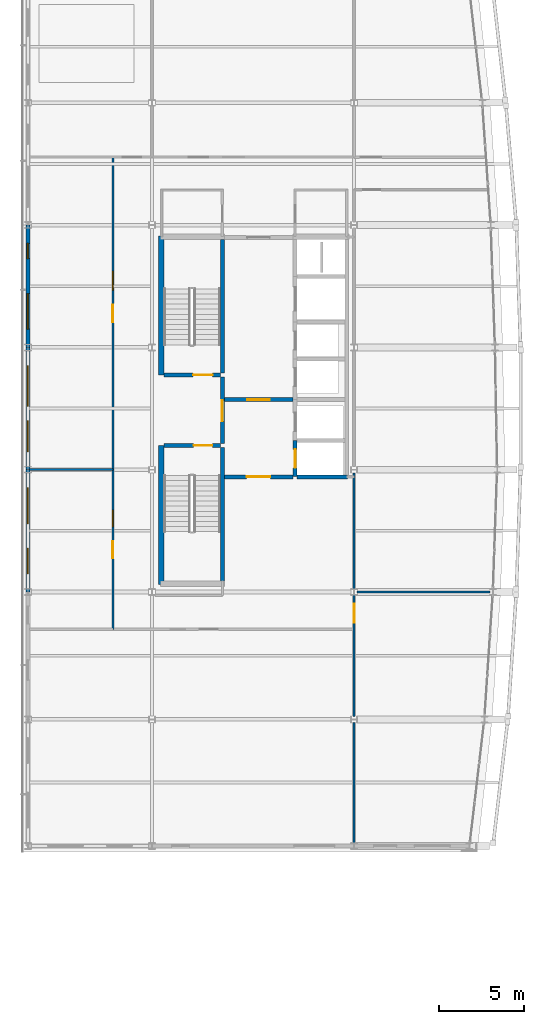
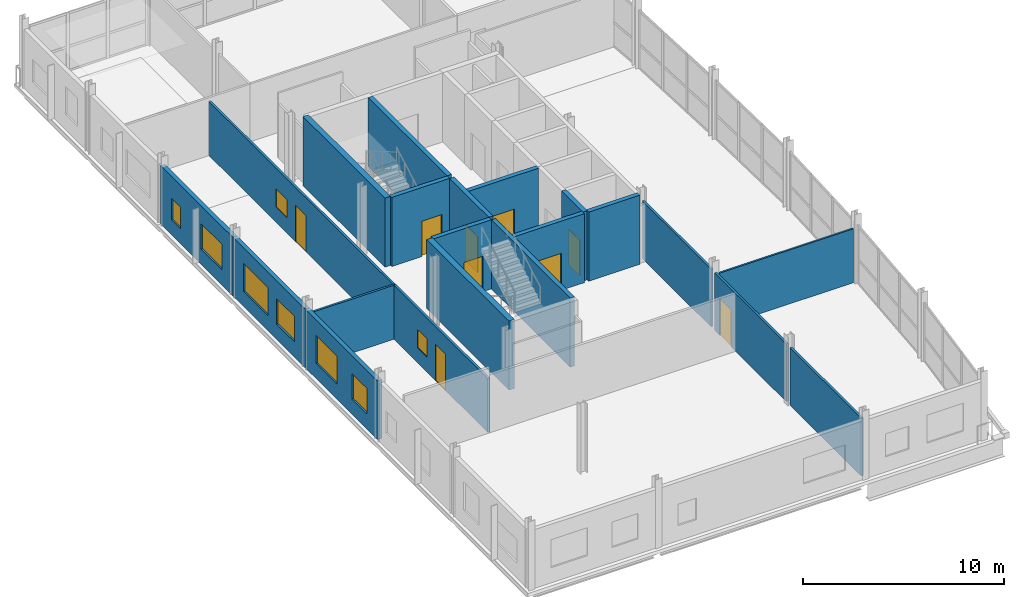
# One storey, part 16 of 23: 21 walls, 9 doors, 8 windows, 17 openings.
"""IFC4 building model written with IfcOpenShell, lengths in metres."""

from ifc_helpers import new_model, si_unit, direction, frame, frame_2d, origin, place, context, subcontext, project, spatial, rectangle, extrude, material, layer, layer_set, type_object, element, fill, save


model = new_model("IFC4")

# Units and contexts
model_context = context("Model", 3, precision=1e-05, world=origin(), true_north=direction((0.0, 1.0)))
body_context = subcontext(model_context, "Body", "Model", "MODEL_VIEW")
ifc_project = project(units=[si_unit("LENGTHUNIT", "METRE"), si_unit("AREAUNIT", "SQUARE_METRE"), si_unit("VOLUMEUNIT", "CUBIC_METRE"), si_unit("PLANEANGLEUNIT", "RADIAN"), si_unit("MASSUNIT", "GRAM", prefix="KILO")], contexts=[model_context])

# Site, building, storey
site_placement = place(None, origin())
site = spatial("IfcSite", under=ifc_project, at=site_placement, CompositionType="ELEMENT")
building_placement = place(site_placement, origin())
building = spatial("IfcBuilding", under=site, at=building_placement, Name="Quillay Park Conservatory", CompositionType="ELEMENT")
storey_placement = place(building_placement, frame((0.0, 0.0, 22.5)))
storey = spatial("IfcBuildingStorey", under=building, at=storey_placement, Name="L05", CompositionType="ELEMENT", Elevation=22.5)

# Walls
ifc_material_1 = material(Name="Steel-Stud Acoustic Gypsum Board Partition", Category="steel")
ifc_layer_1 = layer(ifc_material_1, 0.10009765625)
ifc_layer_set_1 = layer_set([ifc_layer_1], Name="ACOUSTIC GYPSUM PARTITION 100 (Steel-Stud Acoustic Gypsum Board Partition)")
wall_type_1 = type_object("IfcWallType", Name="ACOUSTIC GYPSUM PARTITION 100", PredefinedType="PARTITIONING", material=ifc_layer_set_1)
wall_1_placement = place(storey_placement, frame((27.742919921875, 78.0, 0.0), z_axis=(0.0, 0.0, 1.0), x_axis=(-1.0, 0.0, 0.0)))
element("IfcWall", 1, at=wall_1_placement, inside=storey, type_object=wall_type_1, Name="L05 East Strip South Wall", PredefinedType="PARTITIONING", context=body_context, shape_type="SweptSolid", body=[
    extrude(rectangle(XDim=7.81103515625, YDim=0.10009765625, at=frame_2d((3.905517578125, 0.0))), origin(), (0.0, 0.0, 1.0), 3.277099609375),
])
ifc_material_2 = material(Name="Steel-Stud Acoustic Gypsum Board Partition", Category="steel")
ifc_layer_2 = layer(ifc_material_2, 0.1201171875)
ifc_layer_set_2 = layer_set([ifc_layer_2], Name="ACOUSTIC GYPSUM PARTITION 120 (Steel-Stud Acoustic Gypsum Board Partition)")
wall_type_2 = type_object("IfcWallType", Name="ACOUSTIC GYPSUM PARTITION 120", PredefinedType="PARTITIONING", material=ifc_layer_set_2)
wall_2_placement = place(storey_placement, frame((0.64990234375, 85.199951171875, 0.0), z_axis=(0.0, 0.0, 1.0), x_axis=(1.0, 0.0, 0.0)))
element("IfcWall", 2, at=wall_2_placement, inside=storey, type_object=wall_type_2, Name="L05 West Divider 85", PredefinedType="PARTITIONING", context=body_context, shape_type="SweptSolid", body=[
    extrude(rectangle(XDim=4.900146484375, YDim=0.1201171875, at=frame_2d((2.4501953125, 0.0))), origin(), (0.0, 0.0, 1.0), 3.277099609375),
])

# Wall, openings, window, door
ifc_material_3 = material(Name="Steel-Stud Acoustic Gypsum Board Partition", Category="steel")
ifc_layer_3 = layer(ifc_material_3, 0.125)
ifc_layer_set_3 = layer_set([ifc_layer_3], Name="ACOUSTIC GYPSUM PARTITION 125 (Steel-Stud Acoustic Gypsum Board Partition)")
wall_type_3 = type_object("IfcWallType", Name="ACOUSTIC GYPSUM PARTITION 125", PredefinedType="PARTITIONING", material=ifc_layer_set_3)
wall_3_placement = place(storey_placement, frame((5.550048828125, 85.199951171875, 0.0), z_axis=(0.0, 0.0, 1.0), x_axis=(0.0, 1.0, 0.0)))
wall_3 = element("IfcWall", 3, at=wall_3_placement, inside=storey, type_object=wall_type_3, Name="L05 Phylogenomic Alignment Studio Corridor Wall", PredefinedType="PARTITIONING", context=body_context, shape_type="SweptSolid", body=[
    extrude(rectangle(XDim=18.400146484375, YDim=0.125, at=frame_2d((9.2001953125, 0.0))), origin(), (0.0, 0.0, 1.0), 3.277099609375),
])
opening_1_placement = place(wall_3_placement, frame((8.675048828125, 0.0, 0.0)))
opening_1 = element("IfcOpeningElement", 4, at=opening_1_placement, cuts=wall_3, Name="Opening D-RM15", PredefinedType="OPENING", context=body_context, shape_type="SweptSolid", body=[
    extrude(rectangle(XDim=1.050048828125, YDim=2.199951171875, at=frame_2d((0.52490234375, 1.10009765625))), frame((0.0, 0.0625, 0.0), z_axis=(0.0, -1.0, 0.0), x_axis=(1.0, 0.0, 0.0)), (0.0, 0.0, 1.0), 0.125),
])
opening_2_placement = place(wall_3_placement, frame((10.574951171875, 0.0, 0.919921875)))
opening_2 = element("IfcOpeningElement", 5, at=opening_2_placement, cuts=wall_3, Name="Opening W-IN03", PredefinedType="OPENING", context=body_context, shape_type="SweptSolid", body=[
    extrude(rectangle(XDim=1.10009765625, YDim=1.10009765625, at=frame_2d((0.550048828125, 0.550048828125))), frame((0.0, 0.0625, 0.0), z_axis=(0.0, -1.0, 0.0), x_axis=(1.0, 0.0, 0.0)), (0.0, 0.0, 1.0), 0.125),
])
ifc_material_4 = material(Name="Low-E Double Glazing (Laminated Tempered)", Category="glass")
window_type_1 = type_object("IfcWindowType", Name="OPERABLE VENT WINDOW 1100 X1100", PartitioningType="SINGLE_PANEL", PredefinedType="WINDOW", material=ifc_material_4)
window_1_placement = place(opening_2_placement, origin())
window_1 = element("IfcWindow", 6, at=window_1_placement, inside=storey, type_object=window_type_1, Name="L05 Laboratory Vision Panel 027", OverallHeight=1.10009765625, OverallWidth=1.10009765625, PartitioningType="SINGLE_PANEL", PredefinedType="WINDOW", context=body_context, shape_type="SweptSolid", body=[
    extrude(rectangle(XDim=1.10009765625, YDim=1.10009765625, at=frame_2d((0.550048828125, 0.550048828125))), frame((0.0, 0.030029296875, 0.0), z_axis=(0.0, -1.0, 0.0), x_axis=(1.0, 0.0, 0.0)), (0.0, 0.0, 1.0), 0.06005859375),
])
fill(opening_2, window_1)
ifc_material_5 = material(Name="Thermally Broken Anodised Aluminium 6063-T6", Category="aluminium")
door_type_1 = type_object("IfcDoorType", Name="SINGLE SWING DOOR 1050 X2200", OperationType="NOTDEFINED", PredefinedType="DOOR", material=ifc_material_5)
door_1_placement = place(opening_1_placement, origin())
door_1 = element("IfcDoor", 7, at=door_1_placement, inside=storey, type_object=door_type_1, Name="L05 Door to Phylogenomic Alignment Studio", OperationType="SINGLE_SWING_LEFT", OverallHeight=2.199951171875, OverallWidth=1.050048828125, PredefinedType="DOOR", context=body_context, shape_type="SweptSolid", body=[
    extrude(rectangle(XDim=1.050048828125, YDim=2.199951171875, at=frame_2d((0.52490234375, 1.10009765625))), frame((0.0, 0.02490234375, 0.0), z_axis=(0.0, -1.0, 0.0), x_axis=(1.0, 0.0, 0.0)), (0.0, 0.0, 1.0), 0.050048828125),
])
fill(opening_1, door_1)

# Wall
wall_4_placement = place(storey_placement, frame((19.75, 78.180908203125, 0.0), z_axis=(0.0, 0.0, 1.0), x_axis=(0.0, 1.0, 0.0)))
element("IfcWall", 8, at=wall_4_placement, inside=storey, type_object=wall_type_3, Name="L05 Centrifuge and Autoclave Instrument Bay West Wall 1", PredefinedType="PARTITIONING", context=body_context, shape_type="SweptSolid", body=[
    extrude(rectangle(XDim=6.837158203125, YDim=0.125, at=frame_2d((3.41845703125, 0.0))), origin(), (0.0, 0.0, 1.0), 3.507080078125),
])

# Wall, opening, door
wall_5_placement = place(storey_placement, frame((19.75, 70.681884765625, 0.0), z_axis=(0.0, 0.0, 1.0), x_axis=(0.0, 1.0, 0.0)))
wall_5 = element("IfcWall", 9, at=wall_5_placement, inside=storey, type_object=wall_type_3, Name="L05 RNA Ultracold Freezer Laboratory West Door Wall", PredefinedType="PARTITIONING", context=body_context, shape_type="SweptSolid", body=[
    extrude(rectangle(XDim=7.13720703125, YDim=0.125, at=frame_2d((3.568603515625, 0.0))), origin(), (0.0, 0.0, 1.0), 3.507080078125),
])
opening_3_placement = place(wall_5_placement, frame((5.508056640625, 0.0, 0.0)))
opening_3 = element("IfcOpeningElement", 10, at=opening_3_placement, cuts=wall_5, Name="Opening D-RM21", PredefinedType="OPENING", context=body_context, shape_type="SweptSolid", body=[
    extrude(rectangle(XDim=1.1201171875, YDim=2.25, at=frame_2d((0.56005859375, 1.125))), frame((0.0, 0.0625, 0.0), z_axis=(0.0, -1.0, 0.0), x_axis=(1.0, 0.0, 0.0)), (0.0, 0.0, 1.0), 0.125),
])
ifc_material_6 = material(Name="Thermally Broken Anodised Aluminium 6063-T6", Category="aluminium")
door_type_2 = type_object("IfcDoorType", Name="SINGLE SWING DOOR 1120 X2250", OperationType="NOTDEFINED", PredefinedType="DOOR", material=ifc_material_6)
door_2_placement = place(opening_3_placement, origin())
door_2 = element("IfcDoor", 11, at=door_2_placement, inside=storey, type_object=door_type_2, Name="L05 Door to RNA Ultracold Freezer Laboratory", OperationType="SINGLE_SWING_LEFT", OverallHeight=2.25, OverallWidth=1.1201171875, PredefinedType="DOOR", context=body_context, shape_type="SweptSolid", body=[
    extrude(rectangle(XDim=1.1201171875, YDim=2.25, at=frame_2d((0.56005859375, 1.125))), frame((0.0, 0.02490234375, 0.0), z_axis=(0.0, -1.0, 0.0), x_axis=(1.0, 0.0, 0.0)), (0.0, 0.0, 1.0), 0.050048828125),
])
fill(opening_3, door_2)

# Wall, openings, window, door
ifc_material_7 = material(Name="Steel-Stud Acoustic Gypsum Board Partition", Category="steel")
ifc_layer_4 = layer(ifc_material_7, 0.1298828125)
ifc_layer_set_4 = layer_set([ifc_layer_4], Name="ACOUSTIC GYPSUM PARTITION 130 (Steel-Stud Acoustic Gypsum Board Partition)")
wall_type_4 = type_object("IfcWallType", Name="ACOUSTIC GYPSUM PARTITION 130", PredefinedType="PARTITIONING", material=ifc_layer_set_4)
wall_6_placement = place(storey_placement, frame((5.550048828125, 75.800048828125, 0.0), z_axis=(0.0, 0.0, 1.0), x_axis=(0.0, 1.0, 0.0)))
wall_6 = element("IfcWall", 12, at=wall_6_placement, inside=storey, type_object=wall_type_4, Name="L05 Bioinformatics Write-Up Studio Corridor Wall", PredefinedType="PARTITIONING", context=body_context, shape_type="SweptSolid", body=[
    extrude(rectangle(XDim=9.39990234375, YDim=0.1298828125, at=frame_2d((4.699951171875, 0.0))), origin(), (0.0, 0.0, 1.0), 3.277099609375),
])
opening_4_placement = place(wall_6_placement, frame((4.199951171875, 0.0, 0.0)))
opening_4 = element("IfcOpeningElement", 13, at=opening_4_placement, cuts=wall_6, Name="Opening D-RM14", PredefinedType="OPENING", context=body_context, shape_type="SweptSolid", body=[
    extrude(rectangle(XDim=1.0, YDim=2.199951171875, at=frame_2d((0.5, 1.10009765625))), frame((0.0, 0.06494140625, 0.0), z_axis=(0.0, -1.0, 0.0), x_axis=(1.0, 0.0, 0.0)), (0.0, 0.0, 1.0), 0.1298828125),
])
opening_5_placement = place(wall_6_placement, frame((6.050048828125, 0.0, 0.919921875)))
opening_5 = element("IfcOpeningElement", 14, at=opening_5_placement, cuts=wall_6, Name="Opening W-IN02", PredefinedType="OPENING", context=body_context, shape_type="SweptSolid", body=[
    extrude(rectangle(XDim=0.949951171875, YDim=1.10009765625, at=frame_2d((0.47509765625, 0.550048828125))), frame((0.0, 0.06494140625, 0.0), z_axis=(0.0, -1.0, 0.0), x_axis=(1.0, 0.0, 0.0)), (0.0, 0.0, 1.0), 0.1298828125),
])
ifc_material_8 = material(Name="Low-E Double Glazing (Laminated Tempered)", Category="glass")
window_type_2 = type_object("IfcWindowType", Name="OPERABLE VENT WINDOW 950 X1100", PartitioningType="SINGLE_PANEL", PredefinedType="WINDOW", material=ifc_material_8)
window_2_placement = place(opening_5_placement, origin())
window_2 = element("IfcWindow", 15, at=window_2_placement, inside=storey, type_object=window_type_2, Name="L05 Laboratory Vision Panel 026", OverallHeight=1.10009765625, OverallWidth=0.949951171875, PartitioningType="SINGLE_PANEL", PredefinedType="WINDOW", context=body_context, shape_type="SweptSolid", body=[
    extrude(rectangle(XDim=0.949951171875, YDim=1.10009765625, at=frame_2d((0.47509765625, 0.550048828125))), frame((0.0, 0.030029296875, 0.0), z_axis=(0.0, -1.0, 0.0), x_axis=(1.0, 0.0, 0.0)), (0.0, 0.0, 1.0), 0.06005859375),
])
fill(opening_5, window_2)
ifc_material_9 = material(Name="Thermally Broken Anodised Aluminium 6063-T6", Category="aluminium")
door_type_3 = type_object("IfcDoorType", Name="SINGLE SWING DOOR 1000 X2200", OperationType="NOTDEFINED", PredefinedType="DOOR", material=ifc_material_9)
door_3_placement = place(opening_4_placement, origin())
door_3 = element("IfcDoor", 16, at=door_3_placement, inside=storey, type_object=door_type_3, Name="L05 Door to Bioinformatics Write-Up Studio", OperationType="SINGLE_SWING_RIGHT", OverallHeight=2.199951171875, OverallWidth=1.0, PredefinedType="DOOR", context=body_context, shape_type="SweptSolid", body=[
    extrude(rectangle(XDim=1.0, YDim=2.199951171875, at=frame_2d((0.5, 1.10009765625))), frame((0.0, 0.02490234375, 0.0), z_axis=(0.0, -1.0, 0.0), x_axis=(1.0, 0.0, 0.0)), (0.0, 0.0, 1.0), 0.050048828125),
])
fill(opening_4, door_3)

# Walls
wall_7_placement = place(storey_placement, frame((19.75, 63.23095703125, 0.0), z_axis=(0.0, 0.0, 1.0), x_axis=(0.0, 1.0, 0.0)))
element("IfcWall", 17, at=wall_7_placement, inside=storey, type_object=wall_type_4, Name="L05 RNA Ultracold Freezer Laboratory West Wall S", PredefinedType="PARTITIONING", context=body_context, shape_type="SweptSolid", body=[
    extrude(rectangle(XDim=7.087158203125, YDim=0.1298828125, at=frame_2d((3.54345703125, 0.0))), origin(), (0.0, 0.0, 1.0), 3.507080078125),
])
ifc_material_10 = material(Name="Concrete C40/50 (NCh170 Concrete C40/50)", Category="concrete")
ifc_layer_5 = layer(ifc_material_10, 0.25)
ifc_layer_set_5 = layer_set([ifc_layer_5], Name="CORE SHEAR WALL 250 (Concrete C40/50 (NCh170 Concrete C40/50))")
wall_type_5 = type_object("IfcWallType", Name="CORE SHEAR WALL 250", PredefinedType="SHEAR", material=ifc_layer_set_5)
for number, where, z_axis, x_axis, name in (
    (18, (11.9951171875, 78.64990234375, 0.0), (0.0, 0.0, 1.0), (0.0, 1.0, 0.0), "L05 Core Shear Wall WL-T2E-L05"),
    (19, (11.9951171875, 90.89990234375, 0.0), (0.0, 0.0, 1.0), (0.0, 1.0, 0.0), "L05 Core Shear Wall WL-T1E-L05"),
):
    element("IfcWall", number, at=place(storey_placement, frame(where, z_axis=z_axis, x_axis=x_axis)), inside=storey, type_object=wall_type_5, Name=name, PredefinedType="SHEAR", context=body_context, shape_type="SweptSolid", body=[
        extrude(rectangle(XDim=7.85009765625, YDim=0.25, at=frame_2d((3.925048828125, 0.0))), origin(), (0.0, 0.0, 1.0), 4.199951171875),
    ])

# Wall, opening, door
wall_8_placement = place(storey_placement, frame((11.9951171875, 86.75, 0.0), z_axis=(0.0, 0.0, 1.0), x_axis=(0.0, 1.0, 0.0)))
wall_8 = element("IfcWall", 20, at=wall_8_placement, inside=storey, type_object=wall_type_5, Name="L05 Core Shear Wall WL-FFW-L05", PredefinedType="SHEAR", context=body_context, shape_type="SweptSolid", body=[
    extrude(rectangle(XDim=3.89990234375, YDim=0.25, at=frame_2d((1.949951171875, 0.0))), origin(), (0.0, 0.0, 1.0), 4.199951171875),
])
opening_6_placement = place(wall_8_placement, frame((1.300048828125, 0.0, 0.0)))
opening_6 = element("IfcOpeningElement", 21, at=opening_6_placement, cuts=wall_8, Name="Opening D-LB01", PredefinedType="OPENING", context=body_context, shape_type="SweptSolid", body=[
    extrude(rectangle(XDim=1.25, YDim=2.199951171875, at=frame_2d((0.625, 1.10009765625))), frame((0.0, 0.125, 0.0), z_axis=(0.0, -1.0, 0.0), x_axis=(1.0, 0.0, 0.0)), (0.0, 0.0, 1.0), 0.25),
])
ifc_material_11 = material(Name="Steel ASTM A572 Grade 50", Category="steel")
door_type_4 = type_object("IfcDoorType", Name="FIRE RATED LOBBY DOOR 1250 X2200", OperationType="NOTDEFINED", PredefinedType="DOOR", material=ifc_material_11)
door_4_placement = place(opening_6_placement, origin())
door_4 = element("IfcDoor", 22, at=door_4_placement, inside=storey, type_object=door_type_4, Name="L05 Firefighting Lobby Corridor Door", OperationType="SINGLE_SWING_LEFT", OverallHeight=2.199951171875, OverallWidth=1.25, PredefinedType="DOOR", context=body_context, shape_type="SweptSolid", body=[
    extrude(rectangle(XDim=1.25, YDim=2.199951171875, at=frame_2d((0.625, 1.10009765625))), frame((0.0, 0.02490234375, 0.0), z_axis=(0.0, -1.0, 0.0), x_axis=(1.0, 0.0, 0.0)), (0.0, 0.0, 1.0), 0.050048828125),
])
fill(opening_6, door_4)

wall_9_placement = place(storey_placement, frame((8.550048828125, 86.625, 0.0), z_axis=(0.0, 0.0, 1.0), x_axis=(1.0, 0.0, 0.0)))
wall_9 = element("IfcWall", 23, at=wall_9_placement, inside=storey, type_object=wall_type_5, Name="L05 Core Shear Wall WL-ST2D-L05", PredefinedType="SHEAR", context=body_context, shape_type="SweptSolid", body=[
    extrude(rectangle(XDim=3.320068359375, YDim=0.25, at=frame_2d((1.66015625, 0.0))), origin(), (0.0, 0.0, 1.0), 4.199951171875),
])
opening_7_placement = place(wall_9_placement, frame((1.75, 0.0, 0.0)))
opening_7 = element("IfcOpeningElement", 24, at=opening_7_placement, cuts=wall_9, Name="Opening D-ST01", PredefinedType="OPENING", context=body_context, shape_type="SweptSolid", body=[
    extrude(rectangle(XDim=1.10009765625, YDim=2.14990234375, at=frame_2d((0.550048828125, 1.074951171875))), frame((0.0, 0.125, 0.0), z_axis=(0.0, -1.0, 0.0), x_axis=(1.0, 0.0, 0.0)), (0.0, 0.0, 1.0), 0.25),
])
ifc_material_12 = material(Name="Steel ASTM A572 Grade 50", Category="steel")
door_type_5 = type_object("IfcDoorType", Name="FIRE RATED STAIR DOOR 1100 X2150", OperationType="NOTDEFINED", PredefinedType="DOOR", material=ifc_material_12)
door_5_placement = place(opening_7_placement, origin())
door_5 = element("IfcDoor", 25, at=door_5_placement, inside=storey, type_object=door_type_5, Name="L05 Protected Stair ST-T2 Door", OperationType="SINGLE_SWING_LEFT", OverallHeight=2.14990234375, OverallWidth=1.10009765625, PredefinedType="DOOR", context=body_context, shape_type="SweptSolid", body=[
    extrude(rectangle(XDim=1.10009765625, YDim=2.14990234375, at=frame_2d((0.550048828125, 1.074951171875))), frame((0.0, 0.02490234375, 0.0), z_axis=(0.0, -1.0, 0.0), x_axis=(1.0, 0.0, 0.0)), (0.0, 0.0, 1.0), 0.050048828125),
])
fill(opening_7, door_5)

wall_10_placement = place(storey_placement, frame((11.8701171875, 90.77490234375, 0.0), z_axis=(0.0, 0.0, 1.0), x_axis=(-1.0, 0.0, 0.0)))
wall_10 = element("IfcWall", 26, at=wall_10_placement, inside=storey, type_object=wall_type_5, Name="L05 Core Shear Wall WL-ST1D-L05", PredefinedType="SHEAR", context=body_context, shape_type="SweptSolid", body=[
    extrude(rectangle(XDim=3.320068359375, YDim=0.25, at=frame_2d((1.66015625, 0.0))), origin(), (0.0, 0.0, 1.0), 4.199951171875),
])
opening_8_placement = place(wall_10_placement, frame((0.449951171875, 0.0, 0.0)))
opening_8 = element("IfcOpeningElement", 27, at=opening_8_placement, cuts=wall_10, Name="Opening D-ST02", PredefinedType="OPENING", context=body_context, shape_type="SweptSolid", body=[
    extrude(rectangle(XDim=1.14990234375, YDim=2.14990234375, at=frame_2d((0.574951171875, 1.074951171875))), frame((0.0, 0.125, 0.0), z_axis=(0.0, -1.0, 0.0), x_axis=(1.0, 0.0, 0.0)), (0.0, 0.0, 1.0), 0.25),
])
ifc_material_13 = material(Name="Steel ASTM A572 Grade 50", Category="steel")
door_type_6 = type_object("IfcDoorType", Name="FIRE RATED STAIR DOOR 1150 X2150", OperationType="NOTDEFINED", PredefinedType="DOOR", material=ifc_material_13)
door_6_placement = place(opening_8_placement, origin())
door_6 = element("IfcDoor", 28, at=door_6_placement, inside=storey, type_object=door_type_6, Name="L05 Protected Stair ST-T1 Door", OperationType="SINGLE_SWING_RIGHT", OverallHeight=2.14990234375, OverallWidth=1.14990234375, PredefinedType="DOOR", context=body_context, shape_type="SweptSolid", body=[
    extrude(rectangle(XDim=1.14990234375, YDim=2.14990234375, at=frame_2d((0.574951171875, 1.074951171875))), frame((0.0, 0.02490234375, 0.0), z_axis=(0.0, -1.0, 0.0), x_axis=(1.0, 0.0, 0.0)), (0.0, 0.0, 1.0), 0.050048828125),
])
fill(opening_8, door_6)

wall_11_placement = place(storey_placement, frame((12.1201171875, 89.324951171875, 0.0), z_axis=(0.0, 0.0, 1.0), x_axis=(1.0, 0.0, 0.0)))
wall_11 = element("IfcWall", 29, at=wall_11_placement, inside=storey, type_object=wall_type_5, Name="L05 Core Shear Wall WL-FFDIV-L05", PredefinedType="SHEAR", context=body_context, shape_type="SweptSolid", body=[
    extrude(rectangle(XDim=4.02978515625, YDim=0.25, at=frame_2d((2.014892578125, 0.0))), origin(), (0.0, 0.0, 1.0), 4.199951171875),
])
opening_9_placement = place(wall_11_placement, frame((1.35009765625, 0.0, 0.0)))
opening_9 = element("IfcOpeningElement", 30, at=opening_9_placement, cuts=wall_11, Name="Opening D-LB02", PredefinedType="OPENING", context=body_context, shape_type="SweptSolid", body=[
    extrude(rectangle(XDim=1.300048828125, YDim=2.199951171875, at=frame_2d((0.64990234375, 1.10009765625))), frame((0.0, 0.125, 0.0), z_axis=(0.0, -1.0, 0.0), x_axis=(1.0, 0.0, 0.0)), (0.0, 0.0, 1.0), 0.25),
])
ifc_material_14 = material(Name="Steel ASTM A572 Grade 50", Category="steel")
door_type_7 = type_object("IfcDoorType", Name="FIRE RATED LOBBY DOOR 1300 X2200", OperationType="NOTDEFINED", PredefinedType="DOOR", material=ifc_material_14)
door_7_placement = place(opening_9_placement, origin())
door_7 = element("IfcDoor", 31, at=door_7_placement, inside=storey, type_object=door_type_7, Name="L05 Firefighting to Passenger Lobby Door", OperationType="SINGLE_SWING_LEFT", OverallHeight=2.199951171875, OverallWidth=1.300048828125, PredefinedType="DOOR", context=body_context, shape_type="SweptSolid", body=[
    extrude(rectangle(XDim=1.300048828125, YDim=2.199951171875, at=frame_2d((0.64990234375, 1.10009765625))), frame((0.0, 0.02490234375, 0.0), z_axis=(0.0, -1.0, 0.0), x_axis=(1.0, 0.0, 0.0)), (0.0, 0.0, 1.0), 0.050048828125),
])
fill(opening_9, door_7)

wall_12_placement = place(storey_placement, frame((12.1201171875, 84.77490234375, 0.0), z_axis=(0.0, 0.0, 1.0), x_axis=(1.0, 0.0, 0.0)))
wall_12 = element("IfcWall", 32, at=wall_12_placement, inside=storey, type_object=wall_type_5, Name="L05 Core Shear Wall WL-FFS-L05", PredefinedType="SHEAR", context=body_context, shape_type="SweptSolid", body=[
    extrude(rectangle(XDim=4.02978515625, YDim=0.25, at=frame_2d((2.014892578125, 0.0))), origin(), (0.0, 0.0, 1.0), 4.199951171875),
])
opening_10_placement = place(wall_12_placement, frame((1.300048828125, 0.0, 0.0)))
opening_10 = element("IfcOpeningElement", 33, at=opening_10_placement, cuts=wall_12, Name="Opening D-LB03", PredefinedType="OPENING", context=body_context, shape_type="SweptSolid", body=[
    extrude(rectangle(XDim=1.39990234375, YDim=2.25, at=frame_2d((0.699951171875, 1.125))), frame((0.0, 0.125, 0.0), z_axis=(0.0, -1.0, 0.0), x_axis=(1.0, 0.0, 0.0)), (0.0, 0.0, 1.0), 0.25),
])
ifc_material_15 = material(Name="Steel ASTM A572 Grade 50", Category="steel")
door_type_8 = type_object("IfcDoorType", Name="FIRE RATED LOBBY DOOR 1400 X2250", OperationType="NOTDEFINED", PredefinedType="DOOR", material=ifc_material_15)
door_8_placement = place(opening_10_placement, origin())
door_8 = element("IfcDoor", 34, at=door_8_placement, inside=storey, type_object=door_type_8, Name="L05 South Core Lobby Door", OperationType="SINGLE_SWING_RIGHT", OverallHeight=2.25, OverallWidth=1.39990234375, PredefinedType="DOOR", context=body_context, shape_type="SweptSolid", body=[
    extrude(rectangle(XDim=1.39990234375, YDim=2.25, at=frame_2d((0.699951171875, 1.125))), frame((0.0, 0.02490234375, 0.0), z_axis=(0.0, -1.0, 0.0), x_axis=(1.0, 0.0, 0.0)), (0.0, 0.0, 1.0), 0.050048828125),
])
fill(opening_10, door_8)

# Wall
wall_13_placement = place(storey_placement, frame((16.39990234375, 84.77490234375, 0.0), z_axis=(0.0, 0.0, 1.0), x_axis=(1.0, 0.0, 0.0)))
element("IfcWall", 35, at=wall_13_placement, inside=storey, type_object=wall_type_5, Name="L05 Core Shear Wall WL-LFSO-L05", PredefinedType="SHEAR", context=body_context, shape_type="SweptSolid", body=[
    extrude(rectangle(XDim=2.9501953125, YDim=0.25, at=frame_2d((1.47509765625, 0.0))), origin(), (0.0, 0.0, 1.0), 4.199951171875),
])

# Wall, opening, door
wall_14_placement = place(storey_placement, frame((16.27490234375, 84.800048828125, 0.0), z_axis=(0.0, 0.0, 1.0), x_axis=(0.0, 1.0, 0.0)))
wall_14 = element("IfcWall", 36, at=wall_14_placement, inside=storey, type_object=wall_type_5, Name="L05 Core Shear Wall WL-LFFR-L05-LF-FF1", PredefinedType="SHEAR", context=body_context, shape_type="SweptSolid", body=[
    extrude(rectangle(XDim=2.125, YDim=0.25, at=frame_2d((1.0625, 0.0))), origin(), (0.0, 0.0, 1.0), 4.199951171875),
])
opening_11_placement = place(wall_14_placement, frame((0.5, 0.0, 0.0)))
opening_11 = element("IfcOpeningElement", 37, at=opening_11_placement, cuts=wall_14, Name="Opening LD01", PredefinedType="OPENING", context=body_context, shape_type="SweptSolid", body=[
    extrude(rectangle(XDim=1.10009765625, YDim=2.14990234375, at=frame_2d((0.550048828125, 1.074951171875))), frame((0.0, 0.125, 0.0), z_axis=(0.0, -1.0, 0.0), x_axis=(1.0, 0.0, 0.0)), (0.0, 0.0, 1.0), 0.25),
])
ifc_material_16 = material(Name="Steel ASTM A572 Grade 50", Category="steel")
door_type_9 = type_object("IfcDoorType", Name="LIFT LANDING SLIDING DOOR 1100 X2150", OperationType="NOTDEFINED", PredefinedType="DOOR", material=ifc_material_16)
door_9_placement = place(opening_11_placement, origin())
door_9 = element("IfcDoor", 38, at=door_9_placement, inside=storey, type_object=door_type_9, Name="L05 LF-FF1 Lift Landing Door LD01", OperationType="SLIDING_TO_LEFT", OverallHeight=2.14990234375, OverallWidth=1.10009765625, PredefinedType="DOOR", context=body_context, shape_type="SweptSolid", body=[
    extrude(rectangle(XDim=1.10009765625, YDim=2.14990234375, at=frame_2d((0.550048828125, 1.074951171875))), frame((0.0, 0.02490234375, 0.0), z_axis=(0.0, -1.0, 0.0), x_axis=(1.0, 0.0, 0.0)), (0.0, 0.0, 1.0), 0.050048828125),
])
fill(opening_11, door_9)

# Walls
ifc_material_17 = material(Name="Concrete C40/50 (NCh170 Concrete C40/50)", Category="concrete")
ifc_layer_6 = layer(ifc_material_17, 0.320068359375)
ifc_layer_set_6 = layer_set([ifc_layer_6], Name="CORE SHEAR WALL 320 (Concrete C40/50 (NCh170 Concrete C40/50))")
wall_type_6 = type_object("IfcWallType", Name="CORE SHEAR WALL 320", PredefinedType="SHEAR", material=ifc_layer_set_6)
for number, where, z_axis, x_axis, name in (
    (39, (8.389892578125, 78.449951171875, 0.0), (0.0, 0.0, 1.0), (0.0, 1.0, 0.0), "L05 Core Shear Wall WL-TCW-S-L05"),
    (40, (8.389892578125, 90.77490234375, 0.0), (0.0, 0.0, 1.0), (0.0, 1.0, 0.0), "L05 Core Shear Wall WL-TCW-N-L05"),
):
    element("IfcWall", number, at=place(storey_placement, frame(where, z_axis=z_axis, x_axis=x_axis)), inside=storey, type_object=wall_type_6, Name=name, PredefinedType="SHEAR", context=body_context, shape_type="SweptSolid", body=[
        extrude(rectangle(XDim=8.175048828125, YDim=0.320068359375, at=frame_2d((4.08740234375, 0.0))), origin(), (0.0, 0.0, 1.0), 4.199951171875),
    ])

# Wall, openings, windows
ifc_material_18 = material(Name="Glass-Fibre Reinforced Concrete (GRC) Cladding", Category="concrete")
ifc_layer_7 = layer(ifc_material_18, 0.239990234375)
ifc_layer_set_7 = layer_set([ifc_layer_7], Name="EXTERIOR SOLID WALL 240 (Glass-Fibre Reinforced Concrete (GRC) Cladding)")
wall_type_7 = type_object("IfcWallType", Name="EXTERIOR SOLID WALL 240", PredefinedType="SOLIDWALL", material=ifc_layer_set_7)
wall_15_placement = place(storey_placement, frame((0.550048828125, 78.0, 0.0), z_axis=(0.0, 0.0, 1.0), x_axis=(0.0, 1.0, 0.0)))
wall_15 = element("IfcWall", 41, at=wall_15_placement, inside=storey, type_object=wall_type_7, Name="L05 External Wall WL-EXT-V4W-L05-2", PredefinedType="SOLIDWALL", context=body_context, shape_type="SweptSolid", body=[
    extrude(rectangle(XDim=7.199951171875, YDim=0.239990234375, at=frame_2d((3.60009765625, 0.0))), origin(), (0.0, 0.0, 1.0), 3.556884765625),
])
opening_12_placement = place(wall_15_placement, frame((1.070068359375, 0.0, 0.919921875)))
opening_12 = element("IfcOpeningElement", 42, at=opening_12_placement, cuts=wall_15, Name="Opening W-08", PredefinedType="OPENING", context=body_context, shape_type="SweptSolid", body=[
    extrude(rectangle(XDim=1.5, YDim=1.550048828125, at=frame_2d((0.75, 0.77490234375))), frame((0.0, 0.1201171875, 0.0), z_axis=(0.0, -1.0, 0.0), x_axis=(1.0, 0.0, 0.0)), (0.0, 0.0, 1.0), 0.239990234375),
])
opening_13_placement = place(wall_15_placement, frame((4.030029296875, 0.0, 0.919921875)))
opening_13 = element("IfcOpeningElement", 43, at=opening_13_placement, cuts=wall_15, Name="Opening W-15", PredefinedType="OPENING", context=body_context, shape_type="SweptSolid", body=[
    extrude(rectangle(XDim=2.10009765625, YDim=1.699951171875, at=frame_2d((1.050048828125, 0.85009765625))), frame((0.0, 0.1201171875, 0.0), z_axis=(0.0, -1.0, 0.0), x_axis=(1.0, 0.0, 0.0)), (0.0, 0.0, 1.0), 0.239990234375),
])
ifc_material_19 = material(Name="Low-E Double Glazing (Laminated Tempered)", Category="glass")
window_type_3 = type_object("IfcWindowType", Name="FIXED CASEMENT WINDOW 1500 X1550", PartitioningType="SINGLE_PANEL", PredefinedType="WINDOW", material=ifc_material_19)
window_3_placement = place(opening_12_placement, origin())
window_3 = element("IfcWindow", 44, at=window_3_placement, inside=storey, type_object=window_type_3, Name="L05 Exterior Window 0168", OverallHeight=1.550048828125, OverallWidth=1.5, PartitioningType="SINGLE_PANEL", PredefinedType="WINDOW", context=body_context, shape_type="SweptSolid", body=[
    extrude(rectangle(XDim=1.5, YDim=1.550048828125, at=frame_2d((0.75, 0.77490234375))), frame((0.0, 0.030029296875, 0.0), z_axis=(0.0, -1.0, 0.0), x_axis=(1.0, 0.0, 0.0)), (0.0, 0.0, 1.0), 0.06005859375),
])
fill(opening_12, window_3)
ifc_material_20 = material(Name="Low-E Double Glazing (Laminated Tempered)", Category="glass")
window_type_4 = type_object("IfcWindowType", Name="FIXED CASEMENT WINDOW 2100 X1700", PartitioningType="DOUBLE_PANEL_VERTICAL", PredefinedType="WINDOW", material=ifc_material_20)
window_4_placement = place(opening_13_placement, origin())
window_4 = element("IfcWindow", 45, at=window_4_placement, inside=storey, type_object=window_type_4, Name="L05 Exterior Window 0169", OverallHeight=1.699951171875, OverallWidth=2.10009765625, PartitioningType="DOUBLE_PANEL_VERTICAL", PredefinedType="WINDOW", context=body_context, shape_type="SweptSolid", body=[
    extrude(rectangle(XDim=2.10009765625, YDim=1.699951171875, at=frame_2d((1.050048828125, 0.85009765625))), frame((0.0, 0.030029296875, 0.0), z_axis=(0.0, -1.0, 0.0), x_axis=(1.0, 0.0, 0.0)), (0.0, 0.0, 1.0), 0.06005859375),
])
fill(opening_13, window_4)

wall_16_placement = place(storey_placement, frame((0.550048828125, 85.199951171875, 0.0), z_axis=(0.0, 0.0, 1.0), x_axis=(0.0, 1.0, 0.0)))
wall_16 = element("IfcWall", 46, at=wall_16_placement, inside=storey, type_object=wall_type_7, Name="L05 External Wall WL-EXT-V4W-L05-3", PredefinedType="SOLIDWALL", context=body_context, shape_type="SweptSolid", body=[
    extrude(rectangle(XDim=7.199951171875, YDim=0.239990234375, at=frame_2d((3.60009765625, 0.0))), origin(), (0.0, 0.0, 1.0), 3.556884765625),
])
opening_14_placement = place(wall_16_placement, frame((1.070068359375, 0.0, 0.919921875)))
opening_14 = element("IfcOpeningElement", 47, at=opening_14_placement, cuts=wall_16, Name="Opening W-09", PredefinedType="OPENING", context=body_context, shape_type="SweptSolid", body=[
    extrude(rectangle(XDim=1.800048828125, YDim=1.550048828125, at=frame_2d((0.89990234375, 0.77490234375))), frame((0.0, 0.1201171875, 0.0), z_axis=(0.0, -1.0, 0.0), x_axis=(1.0, 0.0, 0.0)), (0.0, 0.0, 1.0), 0.239990234375),
])
opening_15_placement = place(wall_16_placement, frame((3.72998046875, 0.0, 0.919921875)))
opening_15 = element("IfcOpeningElement", 48, at=opening_15_placement, cuts=wall_16, Name="Opening W-16", PredefinedType="OPENING", context=body_context, shape_type="SweptSolid", body=[
    extrude(rectangle(XDim=2.39990234375, YDim=1.699951171875, at=frame_2d((1.199951171875, 0.85009765625))), frame((0.0, 0.1201171875, 0.0), z_axis=(0.0, -1.0, 0.0), x_axis=(1.0, 0.0, 0.0)), (0.0, 0.0, 1.0), 0.239990234375),
])
ifc_material_21 = material(Name="Low-E Double Glazing (Laminated Tempered)", Category="glass")
window_type_5 = type_object("IfcWindowType", Name="FIXED CASEMENT WINDOW 1800 X1550", PartitioningType="DOUBLE_PANEL_VERTICAL", PredefinedType="WINDOW", material=ifc_material_21)
window_5_placement = place(opening_14_placement, origin())
window_5 = element("IfcWindow", 49, at=window_5_placement, inside=storey, type_object=window_type_5, Name="L05 Exterior Window 0170", OverallHeight=1.550048828125, OverallWidth=1.800048828125, PartitioningType="DOUBLE_PANEL_VERTICAL", PredefinedType="WINDOW", context=body_context, shape_type="SweptSolid", body=[
    extrude(rectangle(XDim=1.800048828125, YDim=1.550048828125, at=frame_2d((0.89990234375, 0.77490234375))), frame((0.0, 0.030029296875, 0.0), z_axis=(0.0, -1.0, 0.0), x_axis=(1.0, 0.0, 0.0)), (0.0, 0.0, 1.0), 0.06005859375),
])
fill(opening_14, window_5)
ifc_material_22 = material(Name="Low-E Double Glazing (Laminated Tempered)", Category="glass")
window_type_6 = type_object("IfcWindowType", Name="FIXED CASEMENT WINDOW 2400 X1700", PartitioningType="DOUBLE_PANEL_VERTICAL", PredefinedType="WINDOW", material=ifc_material_22)
window_6_placement = place(opening_15_placement, origin())
window_6 = element("IfcWindow", 50, at=window_6_placement, inside=storey, type_object=window_type_6, Name="L05 Exterior Window 0171", OverallHeight=1.699951171875, OverallWidth=2.39990234375, PartitioningType="DOUBLE_PANEL_VERTICAL", PredefinedType="WINDOW", context=body_context, shape_type="SweptSolid", body=[
    extrude(rectangle(XDim=2.39990234375, YDim=1.699951171875, at=frame_2d((1.199951171875, 0.85009765625))), frame((0.0, 0.030029296875, 0.0), z_axis=(0.0, -1.0, 0.0), x_axis=(1.0, 0.0, 0.0)), (0.0, 0.0, 1.0), 0.06005859375),
])
fill(opening_15, window_6)

wall_17_placement = place(storey_placement, frame((0.550048828125, 92.39990234375, 0.0), z_axis=(0.0, 0.0, 1.0), x_axis=(0.0, 1.0, 0.0)))
wall_17 = element("IfcWall", 51, at=wall_17_placement, inside=storey, type_object=wall_type_7, Name="L05 External Wall WL-EXT-V4W-L05-4", PredefinedType="SOLIDWALL", context=body_context, shape_type="SweptSolid", body=[
    extrude(rectangle(XDim=7.2001953125, YDim=0.239990234375, at=frame_2d((3.60009765625, 0.0))), origin(), (0.0, 0.0, 1.0), 3.556884765625),
])
opening_16_placement = place(wall_17_placement, frame((1.070068359375, 0.0, 0.919921875)))
opening_16 = element("IfcOpeningElement", 52, at=opening_16_placement, cuts=wall_17, Name="Opening W-10", PredefinedType="OPENING", context=body_context, shape_type="SweptSolid", body=[
    extrude(rectangle(XDim=2.10009765625, YDim=1.550048828125, at=frame_2d((1.050048828125, 0.77490234375))), frame((0.0, 0.1201171875, 0.0), z_axis=(0.0, -1.0, 0.0), x_axis=(1.0, 0.0, 0.0)), (0.0, 0.0, 1.0), 0.239990234375),
])
opening_17_placement = place(wall_17_placement, frame((5.22998046875, 0.0, 0.919921875)))
opening_17 = element("IfcOpeningElement", 53, at=opening_17_placement, cuts=wall_17, Name="Opening W-17", PredefinedType="OPENING", context=body_context, shape_type="SweptSolid", body=[
    extrude(rectangle(XDim=0.89990234375, YDim=1.300048828125, at=frame_2d((0.449951171875, 0.64990234375))), frame((0.0, 0.1201171875, 0.0), z_axis=(0.0, -1.0, 0.0), x_axis=(1.0, 0.0, 0.0)), (0.0, 0.0, 1.0), 0.239990234375),
])
ifc_material_23 = material(Name="Low-E Double Glazing (Laminated Tempered)", Category="glass")
window_type_7 = type_object("IfcWindowType", Name="FIXED CASEMENT WINDOW 2100 X1550", PartitioningType="DOUBLE_PANEL_VERTICAL", PredefinedType="WINDOW", material=ifc_material_23)
window_7_placement = place(opening_16_placement, origin())
window_7 = element("IfcWindow", 54, at=window_7_placement, inside=storey, type_object=window_type_7, Name="L05 Exterior Window 0172", OverallHeight=1.550048828125, OverallWidth=2.10009765625, PartitioningType="DOUBLE_PANEL_VERTICAL", PredefinedType="WINDOW", context=body_context, shape_type="SweptSolid", body=[
    extrude(rectangle(XDim=2.10009765625, YDim=1.550048828125, at=frame_2d((1.050048828125, 0.77490234375))), frame((0.0, 0.030029296875, 0.0), z_axis=(0.0, -1.0, 0.0), x_axis=(1.0, 0.0, 0.0)), (0.0, 0.0, 1.0), 0.06005859375),
])
fill(opening_16, window_7)
ifc_material_24 = material(Name="Low-E Double Glazing (Laminated Tempered)", Category="glass")
window_type_8 = type_object("IfcWindowType", Name="FIXED CASEMENT WINDOW 900 X1300", PartitioningType="SINGLE_PANEL", PredefinedType="WINDOW", material=ifc_material_24)
window_8_placement = place(opening_17_placement, origin())
window_8 = element("IfcWindow", 55, at=window_8_placement, inside=storey, type_object=window_type_8, Name="L05 Exterior Window 0173", OverallHeight=1.300048828125, OverallWidth=0.89990234375, PartitioningType="SINGLE_PANEL", PredefinedType="WINDOW", context=body_context, shape_type="SweptSolid", body=[
    extrude(rectangle(XDim=0.89990234375, YDim=1.300048828125, at=frame_2d((0.449951171875, 0.64990234375))), frame((0.0, 0.030029296875, 0.0), z_axis=(0.0, -1.0, 0.0), x_axis=(1.0, 0.0, 0.0)), (0.0, 0.0, 1.0), 0.06005859375),
])
fill(opening_17, window_8)

save(model, "model.ifc")
